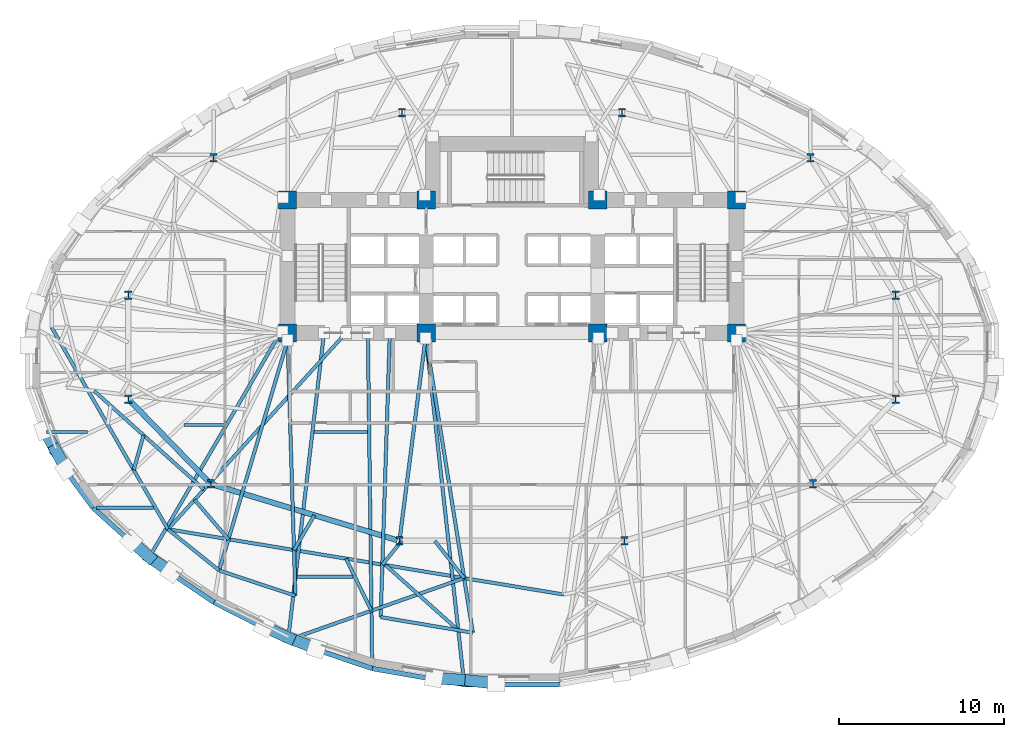
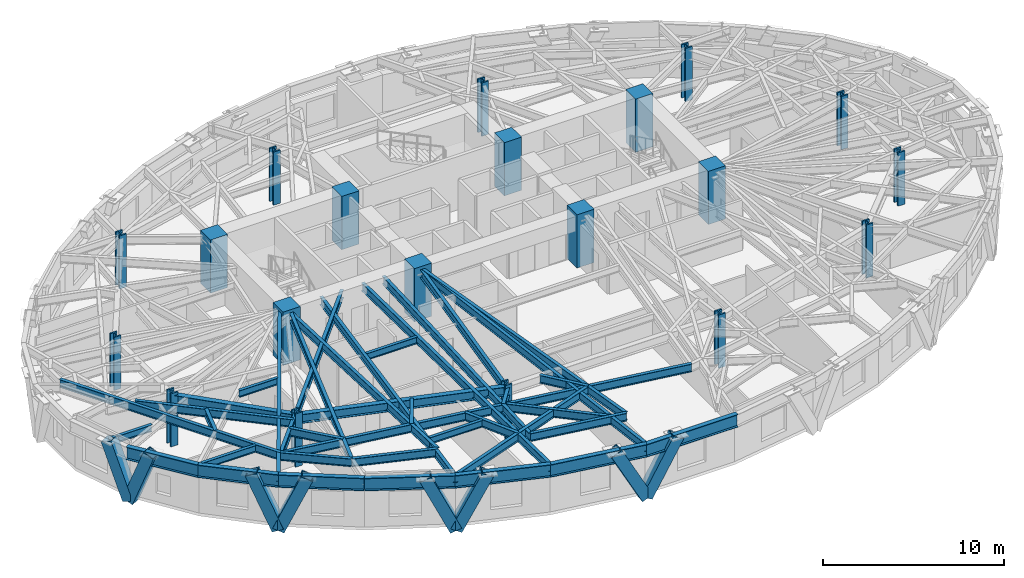
# One storey, part 1 of 14: 38 beams, 20 columns, 8 members.
"""IFC4 building model written with IfcOpenShell, lengths in metres."""

from ifc_helpers import new_model, si_unit, direction, frame, origin, origin_2d, place, context, subcontext, project, spatial, rectangle, hollow_rectangle, i_section, extrude, material, material_profile, profile_set, type_object, element, save


model = new_model("IFC4")

# Units and contexts
model_context = context("Model", 3, precision=1e-05, world=origin(), true_north=direction((0.0, 1.0)))
body_context = subcontext(model_context, "Body", "Model", "MODEL_VIEW")
ifc_project = project(units=[si_unit("LENGTHUNIT", "METRE"), si_unit("AREAUNIT", "SQUARE_METRE"), si_unit("VOLUMEUNIT", "CUBIC_METRE"), si_unit("PLANEANGLEUNIT", "RADIAN"), si_unit("MASSUNIT", "GRAM", prefix="KILO")], contexts=[model_context])

# Site, building, storey
site_placement = place(None, origin())
site = spatial("IfcSite", under=ifc_project, at=site_placement, CompositionType="ELEMENT")
building_placement = place(site_placement, origin())
building = spatial("IfcBuilding", under=site, at=building_placement, Name="Keldmark Tower", CompositionType="ELEMENT")
storey_placement = place(building_placement, frame((0.0, 0.0, 59.39990234375)))
storey = spatial("IfcBuildingStorey", under=building, at=storey_placement, Name="L15", CompositionType="ELEMENT", Elevation=59.39990234375)

# Columns
ifc_material_1 = material(Name="Concrete C70/85", Category="concrete")
ifc_material_profile_1 = material_profile(ifc_material_1, rectangle(XDim=1.10009765625, YDim=1.10009765625, at=origin_2d()), Name="RC1100X1100")
ifc_profile_set_1 = profile_set([ifc_material_profile_1], Name="Concrete C70/85")
column_type_1 = type_object("IfcColumnType", Name="Core Boundary Column RC1100", PredefinedType="COLUMN", material=ifc_profile_set_1)
for number, where, z_axis, x_axis, name in (
    (1, (-13.60009765625, 1.39990234375, 0.0), (0.0, 0.0, 1.0), (1.0, 0.0, 0.0), "L15 Core Boundary Column CC-W1"),
    (2, (-13.60009765625, 9.449951171875, 0.0), (0.0, 0.0, 1.0), (1.0, 0.0, 0.0), "L15 Core Boundary Column CC-W2"),
    (3, (-5.199951171875, 1.39990234375, 0.0), (0.0, 0.0, 1.0), (1.0, 0.0, 0.0), "L15 Core Boundary Column CC-W3"),
    (4, (-5.199951171875, 9.449951171875, 0.0), (0.0, 0.0, 1.0), (1.0, 0.0, 0.0), "L15 Core Boundary Column CC-W4"),
    (5, (5.199951171875, 1.39990234375, 0.0), (0.0, 0.0, 1.0), (1.0, 0.0, 0.0), "L15 Core Boundary Column CC-E1"),
    (6, (5.199951171875, 9.449951171875, 0.0), (0.0, 0.0, 1.0), (1.0, 0.0, 0.0), "L15 Core Boundary Column CC-E2"),
    (7, (13.60009765625, 1.39990234375, 0.0), (0.0, 0.0, 1.0), (1.0, 0.0, 0.0), "L15 Core Boundary Column CC-E3"),
    (8, (13.60009765625, 9.449951171875, 0.0), (0.0, 0.0, 1.0), (1.0, 0.0, 0.0), "L15 Core Boundary Column CC-E4"),
):
    element("IfcColumn", number, at=place(storey_placement, frame(where, z_axis=z_axis, x_axis=x_axis)), inside=storey, type_object=column_type_1, Name=name, PredefinedType="COLUMN", context=body_context, shape_type="SweptSolid", body=[
        extrude(rectangle(XDim=1.10009765625, YDim=1.10009765625, at=origin_2d()), origin(), (0.0, 0.0, 1.0), 3.60009765625),
    ])
ifc_material_2 = material(Name="Steel ASTM A992 Grade 50", Category="steel")
ifc_material_profile_2 = material_profile(ifc_material_2, i_section(OverallWidth=0.43701171875, OverallDepth=0.513916015625, WebThickness=0.060546875, FlangeThickness=0.096923828125, at=origin_2d()), Name="W14X550")
ifc_profile_set_2 = profile_set([ifc_material_profile_2], Name="Steel ASTM A992 Grade 50")
column_type_2 = type_object("IfcColumnType", Name="Tower Gravity Column W14X550", PredefinedType="COLUMN", material=ifc_profile_set_2)
for number, where, z_axis, x_axis, name in (
    (9, (23.25390625, 3.67724609375, 0.0), (0.0, 0.0, 1.0), (1.0, 0.0, 0.0), "L15 Tower Gravity Column TC-E1"),
    (10, (18.09765625, 12.00732421875, 0.0), (0.0, 0.0, 1.0), (1.0, 0.0, 0.0), "L15 Tower Gravity Column TC-E4"),
    (11, (6.6650390625, 14.760009765625, 0.0), (0.0, 0.0, 1.0), (1.0, 0.0, 0.0), "L15 Tower Gravity Column TC-N2"),
    (12, (-6.6650390625, 14.760009765625, 0.0), (0.0, 0.0, 1.0), (1.0, 0.0, 0.0), "L15 Tower Gravity Column TC-N1"),
    (13, (-18.09765625, 12.00732421875, 0.0), (0.0, 0.0, 1.0), (1.0, 0.0, 0.0), "L15 Tower Gravity Column TC-W4"),
    (14, (-23.25390625, 3.67724609375, 0.0), (0.0, 0.0, 1.0), (1.0, 0.0, 0.0), "L15 Tower Gravity Column TC-W1"),
    (15, (-23.25390625, -2.61328125, 0.0), (0.0, 0.0, 1.0), (1.0, 0.0, 0.0), "L15 Tower Gravity Column TC-W5"),
    (16, (-18.252685546875, -7.755615234375, 0.0), (0.0, 0.0, 1.0), (1.0, 0.0, 0.0), "L15 Tower Gravity Column TC-W2"),
    (17, (-6.822021484375, -11.205810546875, 0.0), (0.0, 0.0, 1.0), (1.0, 0.0, 0.0), "L15 Tower Gravity Column TC-W3"),
    (18, (6.822021484375, -11.205810546875, 0.0), (0.0, 0.0, 1.0), (1.0, 0.0, 0.0), "L15 Tower Gravity Column TC-E3"),
    (19, (18.252685546875, -7.755615234375, 0.0), (0.0, 0.0, 1.0), (1.0, 0.0, 0.0), "L15 Tower Gravity Column TC-E2"),
    (20, (23.25390625, -2.61328125, 0.0), (0.0, 0.0, 1.0), (1.0, 0.0, 0.0), "L15 Tower Gravity Column TC-E5"),
):
    element("IfcColumn", number, at=place(storey_placement, frame(where, z_axis=z_axis, x_axis=x_axis)), inside=storey, type_object=column_type_2, Name=name, PredefinedType="COLUMN", context=body_context, shape_type="SweptSolid", body=[
        extrude(i_section(OverallWidth=0.43701171875, OverallDepth=0.513916015625, WebThickness=0.060546875, FlangeThickness=0.096923828125, at=origin_2d()), origin(), (0.0, 0.0, 1.0), 3.60009765625),
    ])

# Beams
ifc_material_3 = material(Name="Steel ASTM A992 Grade 50", Category="steel")
ifc_material_profile_3 = material_profile(ifc_material_3, i_section(OverallWidth=0.19091796875, OverallDepth=0.45703125, WebThickness=0.009033203125, FlangeThickness=0.014404296875, at=origin_2d()), Name="W18X50")
ifc_profile_set_3 = profile_set([ifc_material_profile_3], Name="Steel ASTM A992 Grade 50")
beam_type_1 = type_object("IfcBeamType", Name="Composite Floor Joist W18X50", PredefinedType="JOIST", material=ifc_profile_set_3)
beam_1_placement = place(storey_placement, frame((-13.02685546875, -13.3798828125, 3.171630859375), z_axis=(1.0, 0.0, 0.0), x_axis=(0.0, 1.0, 0.0)))
element("IfcBeam", 21, at=beam_1_placement, inside=storey, type_object=beam_type_1, Name="L15 Composite Floor Joist J01", PredefinedType="JOIST", context=body_context, shape_type="SweptSolid", body=[
    extrude(i_section(OverallWidth=0.19091796875, OverallDepth=0.45703125, WebThickness=0.009033203125, FlangeThickness=0.014404296875, at=origin_2d()), origin(), (0.0, 0.0, 1.0), 3.3955078125),
])
beam_2_placement = place(storey_placement, frame((-25.18896484375, -9.199951171875, 3.171630859375), z_axis=(1.0, 0.0, 0.0), x_axis=(0.0, 1.0, 0.0)))
element("IfcBeam", 22, at=beam_2_placement, inside=storey, type_object=beam_type_1, Name="L15 Composite Floor Joist J02", PredefinedType="JOIST", context=body_context, shape_type="SweptSolid", body=[
    extrude(i_section(OverallWidth=0.19091796875, OverallDepth=0.45703125, WebThickness=0.009033203125, FlangeThickness=0.014404296875, at=origin_2d()), origin(), (0.0, 0.0, 1.0), 3.47265625),
])
beam_3_placement = place(storey_placement, frame((-28.219482421875, -4.60009765625, 3.171630859375), z_axis=(1.0, 0.0, 0.0), x_axis=(0.0, 1.0, 0.0)))
element("IfcBeam", 23, at=beam_3_placement, inside=storey, type_object=beam_type_1, Name="L15 Composite Floor Joist J05", PredefinedType="JOIST", context=body_context, shape_type="SweptSolid", body=[
    extrude(i_section(OverallWidth=0.19091796875, OverallDepth=0.45703125, WebThickness=0.009033203125, FlangeThickness=0.014404296875, at=origin_2d()), origin(), (0.0, 0.0, 1.0), 2.503662109375),
])
beam_4_placement = place(storey_placement, frame((-19.876708984375, -4.179931640625, 3.171630859375), z_axis=(1.0, 0.0, 0.0), x_axis=(0.0, 1.0, 0.0)))
element("IfcBeam", 24, at=beam_4_placement, inside=storey, type_object=beam_type_1, Name="L15 Composite Floor Joist J06", PredefinedType="JOIST", context=body_context, shape_type="SweptSolid", body=[
    extrude(i_section(OverallWidth=0.19091796875, OverallDepth=0.45703125, WebThickness=0.009033203125, FlangeThickness=0.014404296875, at=origin_2d()), origin(), (0.0, 0.0, 1.0), 2.45849609375),
])
beam_5_placement = place(storey_placement, frame((-11.998779296875, -4.60009765625, 3.171630859375), z_axis=(1.0, 0.0, 0.0), x_axis=(0.0, 1.0, 0.0)))
element("IfcBeam", 25, at=beam_5_placement, inside=storey, type_object=beam_type_1, Name="L15 Composite Floor Joist J07", PredefinedType="JOIST", context=body_context, shape_type="SweptSolid", body=[
    extrude(i_section(OverallWidth=0.19091796875, OverallDepth=0.45703125, WebThickness=0.009033203125, FlangeThickness=0.014404296875, at=origin_2d()), origin(), (0.0, 0.0, 1.0), 3.244384765625),
])

# Members
ifc_material_4 = material(Name="Steel ASTM A572 Grade 50", Category="steel")
ifc_material_profile_4 = material_profile(ifc_material_4, hollow_rectangle(XDim=0.699951171875, YDim=0.699951171875, WallThickness=0.054931640625, at=origin_2d()), Name="BOX700X700X55")
ifc_profile_set_4 = profile_set([ifc_material_profile_4], Name="Steel ASTM A572 Grade 50")
member_type = type_object("IfcMemberType", Name="Diagrid Zone 1 Brace BOX700X700X55", PredefinedType="BRACE", material=ifc_profile_set_4)
member_1_placement = place(storey_placement, frame((-27.66845703125, -5.696533203125, -0.27978515625), z_axis=(-0.178257638585, 0.318718528587, 0.930936471421), x_axis=(-0.87276824672, -0.488134804656, 0.0)))
element("IfcMember", 26, at=member_1_placement, inside=storey, type_object=member_type, Name="L15 Perimeter Diagrid Brace 09A", PredefinedType="BRACE", context=body_context, shape_type="SweptSolid", body=[
    extrude(hollow_rectangle(XDim=0.699951171875, YDim=0.699951171875, WallThickness=0.054931640625, at=origin_2d()), origin(), (0.0, 0.0, 1.0), 3.823974609375),
])
member_2_placement = place(storey_placement, frame((-27.670654296875, -5.68505859375, -0.27978515625), z_axis=(0.168232250146, -0.313777179701, 0.934474072144), x_axis=(0.8813193569, 0.472521101279, 0.0)))
element("IfcMember", 27, at=member_2_placement, inside=storey, type_object=member_type, Name="L15 Perimeter Diagrid Brace 09B", PredefinedType="BRACE", context=body_context, shape_type="SweptSolid", body=[
    extrude(hollow_rectangle(XDim=0.699951171875, YDim=0.699951171875, WallThickness=0.054931640625, at=origin_2d()), origin(), (0.0, 0.0, 1.0), 3.809326171875),
])
member_3_placement = place(storey_placement, frame((-21.953369140625, -12.2158203125, -0.27978515625), z_axis=(-0.293372462898, 0.260824582689, 0.919729925075), x_axis=(-0.664433650917, -0.747347257658, 0.0)))
element("IfcMember", 28, at=member_3_placement, inside=storey, type_object=member_type, Name="L15 Perimeter Diagrid Brace 10A", PredefinedType="BRACE", context=body_context, shape_type="SweptSolid", body=[
    extrude(hollow_rectangle(XDim=0.699951171875, YDim=0.699951171875, WallThickness=0.054931640625, at=origin_2d()), origin(), (0.0, 0.0, 1.0), 3.87060546875),
])
member_4_placement = place(storey_placement, frame((-21.9599609375, -12.2060546875, -0.27978515625), z_axis=(0.335180886725, -0.23055432956, 0.91350888025), x_axis=(0.566724882809, 0.823907098649, 0.0)))
element("IfcMember", 29, at=member_4_placement, inside=storey, type_object=member_type, Name="L15 Perimeter Diagrid Brace 10B", PredefinedType="BRACE", context=body_context, shape_type="SweptSolid", body=[
    extrude(hollow_rectangle(XDim=0.699951171875, YDim=0.699951171875, WallThickness=0.054931640625, at=origin_2d()), origin(), (0.0, 0.0, 1.0), 3.89697265625),
])
member_5_placement = place(storey_placement, frame((-13.48681640625, -17.1083984375, -0.27978515625), z_axis=(-0.392084661773, 0.177781362269, 0.902587062411), x_axis=(-0.412957768133, -0.910750175262, 0.0)))
element("IfcMember", 30, at=member_5_placement, inside=storey, type_object=member_type, Name="L15 Perimeter Diagrid Brace 11A", PredefinedType="BRACE", context=body_context, shape_type="SweptSolid", body=[
    extrude(hollow_rectangle(XDim=0.699951171875, YDim=0.699951171875, WallThickness=0.054931640625, at=origin_2d()), origin(), (0.0, 0.0, 1.0), 3.944091796875),
])
member_6_placement = place(storey_placement, frame((-13.49658203125, -17.101806640625, -0.27978515625), z_axis=(0.415439580349, -0.160096228525, 0.895421215235), x_axis=(0.359589032311, 0.933110780048, 0.0)))
element("IfcMember", 31, at=member_6_placement, inside=storey, type_object=member_type, Name="L15 Perimeter Diagrid Brace 11B", PredefinedType="BRACE", context=body_context, shape_type="SweptSolid", body=[
    extrude(hollow_rectangle(XDim=0.699951171875, YDim=0.699951171875, WallThickness=0.054931640625, at=origin_2d()), origin(), (0.0, 0.0, 1.0), 3.9755859375),
])
member_7_placement = place(storey_placement, frame((-2.844482421875, -19.642822265625, -0.27978515625), z_axis=(-0.468860985223, 0.028637815859, 0.882807596274), x_axis=(-0.060965928199, -0.998139847716, 0.0)))
element("IfcMember", 32, at=member_7_placement, inside=storey, type_object=member_type, Name="L15 Perimeter Diagrid Brace 12A", PredefinedType="BRACE", context=body_context, shape_type="SweptSolid", body=[
    extrude(hollow_rectangle(XDim=0.699951171875, YDim=0.699951171875, WallThickness=0.054931640625, at=origin_2d()), origin(), (0.0, 0.0, 1.0), 4.032470703125),
])
member_8_placement = place(storey_placement, frame((-2.856201171875, -19.640380859375, -0.27978515625), z_axis=(0.46989619452, -0.051310851337, 0.881229120553), x_axis=(0.108550889837, 0.994090893387, 0.0)))
element("IfcMember", 33, at=member_8_placement, inside=storey, type_object=member_type, Name="L15 Perimeter Diagrid Brace 12B", PredefinedType="BRACE", context=body_context, shape_type="SweptSolid", body=[
    extrude(hollow_rectangle(XDim=0.699951171875, YDim=0.699951171875, WallThickness=0.054931640625, at=origin_2d()), origin(), (0.0, 0.0, 1.0), 4.03955078125),
])

# Beams
ifc_material_5 = material(Name="Steel ASTM A992 Grade 50", Category="steel")
ifc_material_profile_5 = material_profile(ifc_material_5, i_section(OverallWidth=0.323974609375, OverallDepth=0.611083984375, WebThickness=0.0126953125, FlangeThickness=0.01904296875, at=origin_2d()), Name="W24X104")
ifc_profile_set_5 = profile_set([ifc_material_profile_5], Name="Steel ASTM A992 Grade 50")
beam_type_2 = type_object("IfcBeamType", Name="Primary Floor Girder W24X104", PredefinedType="BEAM", material=ifc_profile_set_5)
beam_6_placement = place(storey_placement, frame((-23.156494140625, -2.713623046875, 3.094482421875), z_axis=(0.697210382268, -0.716866572563, 0.0), x_axis=(0.716866572563, 0.697210382268, 0.0)))
element("IfcBeam", 34, at=beam_6_placement, inside=storey, type_object=beam_type_2, Name="L15 Floor Ring Girder FG-R07", PredefinedType="BEAM", context=body_context, shape_type="SweptSolid", body=[
    extrude(i_section(OverallWidth=0.323974609375, OverallDepth=0.611083984375, WebThickness=0.0126953125, FlangeThickness=0.01904296875, at=origin_2d()), origin(), (0.0, 0.0, 1.0), 6.893310546875),
])
beam_7_placement = place(storey_placement, frame((-18.118896484375, -7.796142578125, 3.094482421875), z_axis=(0.957346071406, -0.2889437654, 0.0), x_axis=(0.2889437654, 0.957346071406, 0.0)))
element("IfcBeam", 35, at=beam_7_placement, inside=storey, type_object=beam_type_2, Name="L15 Floor Ring Girder FG-R08", PredefinedType="BEAM", context=body_context, shape_type="SweptSolid", body=[
    extrude(i_section(OverallWidth=0.323974609375, OverallDepth=0.611083984375, WebThickness=0.0126953125, FlangeThickness=0.01904296875, at=origin_2d()), origin(), (0.0, 0.0, 1.0), 11.66015625),
])
ifc_material_6 = material(Name="Steel ASTM A992 Grade 50", Category="steel")
ifc_material_profile_6 = material_profile(ifc_material_6, i_section(OverallWidth=0.2099609375, OverallDepth=0.537109375, WebThickness=0.010986328125, FlangeThickness=0.017333984375, at=origin_2d()), Name="W21X68")
ifc_profile_set_6 = profile_set([ifc_material_profile_6], Name="Steel ASTM A992 Grade 50")
beam_type_3 = type_object("IfcBeamType", Name="Radial Tie Girder W21X68", PredefinedType="BEAM", material=ifc_profile_set_6)
beam_8_placement = place(storey_placement, frame((-25.325927734375, -2.1142578125, 3.131591796875), z_axis=(0.744130948226, -0.668033780502, 0.0), x_axis=(0.668033780502, 0.744130948226, 0.0)))
element("IfcBeam", 36, at=beam_8_placement, inside=storey, type_object=beam_type_3, Name="L15 Framing Pin Header PH-011", PredefinedType="BEAM", context=body_context, shape_type="SweptSolid", body=[
    extrude(i_section(OverallWidth=0.2099609375, OverallDepth=0.537109375, WebThickness=0.010986328125, FlangeThickness=0.017333984375, at=origin_2d()), origin(), (0.0, 0.0, 1.0), 8.944580078125),
])
beam_9_placement = place(storey_placement, frame((-10.064208984375, 1.39990234375, 3.131591796875), z_axis=(-0.671774409352, -0.740755791702, 0.0), x_axis=(0.740755791702, -0.671774409352, 0.0)))
element("IfcBeam", 37, at=beam_9_placement, inside=storey, type_object=beam_type_3, Name="L15 Sub-Ring Step Girder STP2-M08", PredefinedType="BEAM", context=body_context, shape_type="SweptSolid", body=[
    extrude(i_section(OverallWidth=0.2099609375, OverallDepth=0.537109375, WebThickness=0.010986328125, FlangeThickness=0.017333984375, at=origin_2d()), origin(), (0.0, 0.0, 1.0), 16.064453125),
])
beam_10_placement = place(storey_placement, frame((-27.899658203125, 1.726806640625, 3.131591796875), z_axis=(0.499178639732, -0.866499097308, 0.0), x_axis=(0.866499097308, 0.499178639732, 0.0)))
element("IfcBeam", 38, at=beam_10_placement, inside=storey, type_object=beam_type_3, Name="L15 Perimeter Collector Ring Beam CRG2-M07", PredefinedType="BEAM", context=body_context, shape_type="SweptSolid", body=[
    extrude(i_section(OverallWidth=0.2099609375, OverallDepth=0.537109375, WebThickness=0.010986328125, FlangeThickness=0.017333984375, at=origin_2d()), origin(), (0.0, 0.0, 1.0), 14.110595703125),
])
beam_11_placement = place(storey_placement, frame((-20.85595703125, -10.5, 3.131591796875), z_axis=(0.986674456653, -0.162706842476, 0.0), x_axis=(0.162706842476, 0.986674456653, 0.0)))
element("IfcBeam", 39, at=beam_11_placement, inside=storey, type_object=beam_type_3, Name="L15 Perimeter Collector Ring Beam CRG2-M08", PredefinedType="BEAM", context=body_context, shape_type="SweptSolid", body=[
    extrude(i_section(OverallWidth=0.2099609375, OverallDepth=0.537109375, WebThickness=0.010986328125, FlangeThickness=0.017333984375, at=origin_2d()), origin(), (0.0, 0.0, 1.0), 24.3125),
])
beam_12_placement = place(storey_placement, frame((-22.330810546875, -4.80322265625, 3.131591796875), z_axis=(-0.274617623752, -0.961553514228, 0.0), x_axis=(0.961553514228, -0.274617623752, 0.0)))
element("IfcBeam", 40, at=beam_12_placement, inside=storey, type_object=beam_type_3, Name="L15 Framing Pin Header PH-030", PredefinedType="BEAM", context=body_context, shape_type="SweptSolid", body=[
    extrude(i_section(OverallWidth=0.2099609375, OverallDepth=0.537109375, WebThickness=0.010986328125, FlangeThickness=0.017333984375, at=origin_2d()), origin(), (0.0, 0.0, 1.0), 2.1806640625),
])
beam_13_placement = place(storey_placement, frame((-14.050048828125, 1.39990234375, 3.131591796875), z_axis=(-0.50402853114, -0.863687003374, 0.0), x_axis=(0.863687003374, -0.50402853114, 0.0)))
element("IfcBeam", 41, at=beam_13_placement, inside=storey, type_object=beam_type_3, Name="L15 Perimeter Radial Tie Girder RT-20", PredefinedType="BEAM", context=body_context, shape_type="SweptSolid", body=[
    extrude(i_section(OverallWidth=0.2099609375, OverallDepth=0.537109375, WebThickness=0.010986328125, FlangeThickness=0.017333984375, at=origin_2d()), origin(), (0.0, 0.0, 1.0), 15.8046875),
])
beam_14_placement = place(storey_placement, frame((-19.2373046875, -8.715087890625, 3.131591796875), z_axis=(0.651123335513, -0.758971937525, 0.0), x_axis=(0.758971937525, 0.651123335513, 0.0)))
element("IfcBeam", 42, at=beam_14_placement, inside=storey, type_object=beam_type_3, Name="L15 Framing Pin Header PH-031", PredefinedType="BEAM", context=body_context, shape_type="SweptSolid", body=[
    extrude(i_section(OverallWidth=0.2099609375, OverallDepth=0.537109375, WebThickness=0.010986328125, FlangeThickness=0.017333984375, at=origin_2d()), origin(), (0.0, 0.0, 1.0), 3.14892578125),
])
beam_15_placement = place(storey_placement, frame((-13.60009765625, 0.949951171875, 3.131591796875), z_axis=(-0.285178176256, -0.958474521199, 0.0), x_axis=(0.958474521199, -0.285178176256, 0.0)))
element("IfcBeam", 43, at=beam_15_placement, inside=storey, type_object=beam_type_3, Name="L15 Intermediate Radial Step Girder RT-21M", PredefinedType="BEAM", context=body_context, shape_type="SweptSolid", body=[
    extrude(i_section(OverallWidth=0.2099609375, OverallDepth=0.537109375, WebThickness=0.010986328125, FlangeThickness=0.017333984375, at=origin_2d()), origin(), (0.0, 0.0, 1.0), 14.55029296875),
])
beam_16_placement = place(storey_placement, frame((-20.85595703125, -10.5, 3.131591796875), z_axis=(0.77952816487, -0.626367176802, 0.0), x_axis=(0.626367176802, 0.77952816487, 0.0)))
element("IfcBeam", 44, at=beam_16_placement, inside=storey, type_object=beam_type_3, Name="L15 Local Collector Chord RT-21C", PredefinedType="BEAM", context=body_context, shape_type="SweptSolid", body=[
    extrude(i_section(OverallWidth=0.2099609375, OverallDepth=0.537109375, WebThickness=0.010986328125, FlangeThickness=0.017333984375, at=origin_2d()), origin(), (0.0, 0.0, 1.0), 3.985107421875),
])
beam_17_placement = place(storey_placement, frame((-11.979248046875, -9.649169921875, 3.131591796875), z_axis=(-0.504981541597, -0.863130142358, 0.0), x_axis=(0.863130142358, -0.504981541597, 0.0)))
element("IfcBeam", 45, at=beam_17_placement, inside=storey, type_object=beam_type_3, Name="L15 Framing Pin Header PH-032", PredefinedType="BEAM", context=body_context, shape_type="SweptSolid", body=[
    extrude(i_section(OverallWidth=0.2099609375, OverallDepth=0.537109375, WebThickness=0.010986328125, FlangeThickness=0.017333984375, at=origin_2d()), origin(), (0.0, 0.0, 1.0), 2.44580078125),
])
beam_18_placement = place(storey_placement, frame((-13.60009765625, 0.949951171875, 3.131591796875), z_axis=(0.030342096024, -0.999539572608, 0.0), x_axis=(0.999539572608, 0.030342096024, 0.0)))
element("IfcBeam", 46, at=beam_18_placement, inside=storey, type_object=beam_type_3, Name="L15 Intermediate Radial Step Girder RT-22M", PredefinedType="BEAM", context=body_context, shape_type="SweptSolid", body=[
    extrude(i_section(OverallWidth=0.2099609375, OverallDepth=0.537109375, WebThickness=0.010986328125, FlangeThickness=0.017333984375, at=origin_2d()), origin(), (0.0, 0.0, 1.0), 15.489013671875),
])
beam_19_placement = place(storey_placement, frame((-17.74951171875, -12.99609375, 3.131591796875), z_axis=(0.948923752199, -0.315505487294, 0.0), x_axis=(0.315505487294, 0.948923752199, 0.0)))
element("IfcBeam", 47, at=beam_19_placement, inside=storey, type_object=beam_type_3, Name="L15 Local Collector Chord RT-22C", PredefinedType="BEAM", context=body_context, shape_type="SweptSolid", body=[
    extrude(i_section(OverallWidth=0.2099609375, OverallDepth=0.537109375, WebThickness=0.010986328125, FlangeThickness=0.017333984375, at=origin_2d()), origin(), (0.0, 0.0, 1.0), 4.867919921875),
])
beam_20_placement = place(storey_placement, frame((-11.392822265625, 1.39990234375, 3.131591796875), z_axis=(-0.116313738598, -0.993212522179, 0.0), x_axis=(0.993212522179, -0.116313738598, 0.0)))
element("IfcBeam", 48, at=beam_20_placement, inside=storey, type_object=beam_type_3, Name="L15 Perimeter Radial Tie Girder RT-22", PredefinedType="BEAM", context=body_context, shape_type="SweptSolid", body=[
    extrude(i_section(OverallWidth=0.2099609375, OverallDepth=0.537109375, WebThickness=0.010986328125, FlangeThickness=0.017333984375, at=origin_2d()), origin(), (0.0, 0.0, 1.0), 18.743896484375),
])
beam_21_placement = place(storey_placement, frame((-6.68212890625, -11.205810546875, 3.131591796875), z_axis=(-0.63305882036, -0.774103694581, 0.0), x_axis=(0.774103694581, -0.63305882036, 0.0)))
element("IfcBeam", 49, at=beam_21_placement, inside=storey, type_object=beam_type_3, Name="L15 Framing Pin Header PH-033", PredefinedType="BEAM", context=body_context, shape_type="SweptSolid", body=[
    extrude(i_section(OverallWidth=0.2099609375, OverallDepth=0.537109375, WebThickness=0.010986328125, FlangeThickness=0.017333984375, at=origin_2d()), origin(), (0.0, 0.0, 1.0), 1.857421875),
])
beam_22_placement = place(storey_placement, frame((-7.406982421875, 1.39990234375, 3.131591796875), z_axis=(-0.03209978259, -0.999484669196, 0.0), x_axis=(0.999484669196, -0.03209978259, 0.0)))
element("IfcBeam", 50, at=beam_22_placement, inside=storey, type_object=beam_type_3, Name="L15 Intermediate Radial Step Girder RT-23M", PredefinedType="BEAM", context=body_context, shape_type="SweptSolid", body=[
    extrude(i_section(OverallWidth=0.2099609375, OverallDepth=0.537109375, WebThickness=0.010986328125, FlangeThickness=0.017333984375, at=origin_2d()), origin(), (0.0, 0.0, 1.0), 17.234375),
])
beam_23_placement = place(storey_placement, frame((-4.677490234375, -11.205810546875, 3.131591796875), z_axis=(0.618617711759, -0.785692132262, 0.0), x_axis=(0.785692132262, 0.618617711759, 0.0)))
element("IfcBeam", 51, at=beam_23_placement, inside=storey, type_object=beam_type_3, Name="L15 Framing Pin Header PH-034", PredefinedType="BEAM", context=body_context, shape_type="SweptSolid", body=[
    extrude(i_section(OverallWidth=0.2099609375, OverallDepth=0.537109375, WebThickness=0.010986328125, FlangeThickness=0.017333984375, at=origin_2d()), origin(), (0.0, 0.0, 1.0), 2.869873046875),
])
beam_24_placement = place(storey_placement, frame((-5.199951171875, 0.949951171875, 3.131591796875), z_axis=(0.157458244464, -0.98752564587, 0.0), x_axis=(0.98752564587, 0.157458244464, 0.0)))
element("IfcBeam", 52, at=beam_24_placement, inside=storey, type_object=beam_type_3, Name="L15 Intermediate Radial Step Girder RT-24M", PredefinedType="BEAM", context=body_context, shape_type="SweptSolid", body=[
    extrude(i_section(OverallWidth=0.2099609375, OverallDepth=0.537109375, WebThickness=0.010986328125, FlangeThickness=0.017333984375, at=origin_2d()), origin(), (0.0, 0.0, 1.0), 17.944091796875),
])
beam_25_placement = place(storey_placement, frame((-7.960205078125, -15.82568359375, 3.131591796875), z_axis=(0.986000948959, -0.166739703288, 0.0), x_axis=(0.166739703288, 0.986000948959, 0.0)))
element("IfcBeam", 53, at=beam_25_placement, inside=storey, type_object=beam_type_3, Name="L15 Local Collector Chord RT-24C", PredefinedType="BEAM", context=body_context, shape_type="SweptSolid", body=[
    extrude(i_section(OverallWidth=0.2099609375, OverallDepth=0.537109375, WebThickness=0.010986328125, FlangeThickness=0.017333984375, at=origin_2d()), origin(), (0.0, 0.0, 1.0), 5.6650390625),
])
beam_26_placement = place(storey_placement, frame((-7.662353515625, -12.67578125, 3.131591796875), z_axis=(0.745036167095, -0.667024069821, 0.0), x_axis=(0.667024069821, 0.745036167095, 0.0)))
element("IfcBeam", 54, at=beam_26_placement, inside=storey, type_object=beam_type_3, Name="L15 Framing Pin Header PH-035", PredefinedType="BEAM", context=body_context, shape_type="SweptSolid", body=[
    extrude(i_section(OverallWidth=0.2099609375, OverallDepth=0.537109375, WebThickness=0.010986328125, FlangeThickness=0.017333984375, at=origin_2d()), origin(), (0.0, 0.0, 1.0), 5.914794921875),
])
beam_27_placement = place(storey_placement, frame((-5.199951171875, 0.949951171875, 3.131591796875), z_axis=(0.109990971327, -0.993932586359, 0.0), x_axis=(0.993932586359, 0.109990971327, 0.0)))
element("IfcBeam", 55, at=beam_27_placement, inside=storey, type_object=beam_type_3, Name="L15 Perimeter Radial Tie Girder RT-24", PredefinedType="BEAM", context=body_context, shape_type="SweptSolid", body=[
    extrude(i_section(OverallWidth=0.2099609375, OverallDepth=0.537109375, WebThickness=0.010986328125, FlangeThickness=0.017333984375, at=origin_2d()), origin(), (0.0, 0.0, 1.0), 20.984619140625),
])
beam_28_placement = place(storey_placement, frame((-13.572998046875, -17.216796875, 3.131591796875), z_axis=(0.943270090131, 0.332026410192, 0.0), x_axis=(-0.332026410192, 0.943270090131, 0.0)))
element("IfcBeam", 56, at=beam_28_placement, inside=storey, type_object=beam_type_3, Name="L15 Straddling Support Chord RT-23RB", PredefinedType="BEAM", context=body_context, shape_type="SweptSolid", body=[
    extrude(i_section(OverallWidth=0.2099609375, OverallDepth=0.537109375, WebThickness=0.010986328125, FlangeThickness=0.017333984375, at=origin_2d()), origin(), (0.0, 0.0, 1.0), 11.312744140625),
])
beam_29_placement = place(storey_placement, frame((-10.06103515625, -12.2802734375, 3.131591796875), z_axis=(0.438884872104, -0.89854330393, 0.0), x_axis=(0.89854330393, 0.438884872104, 0.0)))
element("IfcBeam", 57, at=beam_29_placement, inside=storey, type_object=beam_type_3, Name="L15 Framing Pin Header PH-048", PredefinedType="BEAM", context=body_context, shape_type="SweptSolid", body=[
    extrude(i_section(OverallWidth=0.2099609375, OverallDepth=0.537109375, WebThickness=0.010986328125, FlangeThickness=0.017333984375, at=origin_2d()), origin(), (0.0, 0.0, 1.0), 3.513916015625),
])
beam_30_placement = place(storey_placement, frame((-8.735595703125, 1.39990234375, 3.131591796875), z_axis=(0.012866383369, -0.999917224664, 0.0), x_axis=(0.999917224664, 0.012866383369, 0.0)))
element("IfcBeam", 58, at=beam_30_placement, inside=storey, type_object=beam_type_3, Name="L15 Perimeter Radial Tie Girder RT-23R", PredefinedType="BEAM", context=body_context, shape_type="SweptSolid", body=[
    extrude(i_section(OverallWidth=0.2099609375, OverallDepth=0.537109375, WebThickness=0.010986328125, FlangeThickness=0.017333984375, at=origin_2d()), origin(), (0.0, 0.0, 1.0), 20.34130859375),
])
ifc_material_7 = material(Name="Steel ASTM A992 Grade 50", Category="steel")
ifc_material_profile_7 = material_profile(ifc_material_7, i_section(OverallWidth=0.214111328125, OverallDepth=0.549072265625, WebThickness=0.0146484375, FlangeThickness=0.023681640625, at=origin_2d()), Name="W21X93")
ifc_profile_set_7 = profile_set([ifc_material_profile_7], Name="Steel ASTM A992 Grade 50")
beam_type_4 = type_object("IfcBeamType", Name="Radial Tie Girder W21X93", PredefinedType="BEAM", material=ifc_profile_set_7)
beam_31_placement = place(storey_placement, frame((-6.80419921875, -11.06689453125, 3.12548828125), z_axis=(0.127634898593, 0.99182122011, 0.0), x_axis=(-0.99182122011, 0.127634898593, 0.0)))
element("IfcBeam", 59, at=beam_31_placement, inside=storey, type_object=beam_type_4, Name="L15 Floor Radial Girder FG-C09", PredefinedType="BEAM", context=body_context, shape_type="SweptSolid", body=[
    extrude(i_section(OverallWidth=0.214111328125, OverallDepth=0.549072265625, WebThickness=0.0146484375, FlangeThickness=0.023681640625, at=origin_2d()), origin(), (0.0, 0.0, 1.0), 12.24951171875),
])
ifc_material_8 = material(Name="Steel ASTM A992 Grade 50", Category="steel")
ifc_material_profile_8 = material_profile(ifc_material_8, i_section(OverallWidth=0.2919921875, OverallDepth=0.85888671875, WebThickness=0.01708984375, FlangeThickness=0.031005859375, at=origin_2d()), Name="W33X169")
ifc_profile_set_8 = profile_set([ifc_material_profile_8], Name="Steel ASTM A992 Grade 50")
beam_type_5 = type_object("IfcBeamType", Name="Spandrel Ring Beam W33X169", PredefinedType="SPANDREL", material=ifc_profile_set_8)
beam_32_placement = place(storey_placement, frame((-27.934326171875, -5.745361328125, 2.970703125), z_axis=(0.592261182237, -0.80574604685, 0.0), x_axis=(0.80574604685, 0.592261182237, 0.0)))
element("IfcBeam", 60, at=beam_32_placement, inside=storey, type_object=beam_type_5, Name="L15 Perimeter Spandrel Ring Beam SRB-18", PredefinedType="SPANDREL", context=body_context, shape_type="SweptSolid", body=[
    extrude(i_section(OverallWidth=0.2919921875, OverallDepth=0.85888671875, WebThickness=0.01708984375, FlangeThickness=0.031005859375, at=origin_2d()), origin(), (0.0, 0.0, 1.0), 4.290771484375),
])
beam_33_placement = place(storey_placement, frame((-25.39306640625, -9.20263671875, 2.970703125), z_axis=(0.742354052059, -0.670007806963, 0.0), x_axis=(0.670007806963, 0.742354052059, 0.0)))
element("IfcBeam", 61, at=beam_33_placement, inside=storey, type_object=beam_type_5, Name="L15 Perimeter Spandrel Ring Beam SRB-19", PredefinedType="SPANDREL", context=body_context, shape_type="SweptSolid", body=[
    extrude(i_section(OverallWidth=0.2919921875, OverallDepth=0.85888671875, WebThickness=0.01708984375, FlangeThickness=0.031005859375, at=origin_2d()), origin(), (0.0, 0.0, 1.0), 4.549072265625),
])
beam_34_placement = place(storey_placement, frame((-22.01611328125, -12.25048828125, 2.970703125), z_axis=(0.827693991977, -0.561179699959, 0.0), x_axis=(0.561179699959, 0.827693991977, 0.0)))
element("IfcBeam", 62, at=beam_34_placement, inside=storey, type_object=beam_type_5, Name="L15 Perimeter Spandrel Ring Beam SRB-20", PredefinedType="SPANDREL", context=body_context, shape_type="SweptSolid", body=[
    extrude(i_section(OverallWidth=0.2919921875, OverallDepth=0.85888671875, WebThickness=0.01708984375, FlangeThickness=0.031005859375, at=origin_2d()), origin(), (0.0, 0.0, 1.0), 4.769775390625),
])
beam_35_placement = place(storey_placement, frame((-18.068115234375, -14.92724609375, 2.970703125), z_axis=(0.891072734441, -0.45386053137, 0.0), x_axis=(0.45386053137, 0.891072734441, 0.0)))
element("IfcBeam", 63, at=beam_35_placement, inside=storey, type_object=beam_type_5, Name="L15 Perimeter Spandrel Ring Beam SRB-21", PredefinedType="SPANDREL", context=body_context, shape_type="SweptSolid", body=[
    extrude(i_section(OverallWidth=0.2919921875, OverallDepth=0.85888671875, WebThickness=0.01708984375, FlangeThickness=0.031005859375, at=origin_2d()), origin(), (0.0, 0.0, 1.0), 5.044677734375),
])
beam_36_placement = place(storey_placement, frame((-13.572998046875, -17.216796875, 2.970703125), z_axis=(0.947382619443, -0.320103377641, 0.0), x_axis=(0.320103377641, 0.947382619443, 0.0)))
element("IfcBeam", 64, at=beam_36_placement, inside=storey, type_object=beam_type_5, Name="L15 Perimeter Spandrel Ring Beam SRB-22", PredefinedType="SPANDREL", context=body_context, shape_type="SweptSolid", body=[
    extrude(i_section(OverallWidth=0.2919921875, OverallDepth=0.85888671875, WebThickness=0.01708984375, FlangeThickness=0.031005859375, at=origin_2d()), origin(), (0.0, 0.0, 1.0), 5.38232421875),
])
beam_37_placement = place(storey_placement, frame((-8.473876953125, -18.939697265625, 2.970703125), z_axis=(0.985308697227, -0.170782818716, 0.0), x_axis=(0.170782818716, 0.985308697227, 0.0)))
element("IfcBeam", 65, at=beam_37_placement, inside=storey, type_object=beam_type_5, Name="L15 Perimeter Spandrel Ring Beam SRB-23", PredefinedType="SPANDREL", context=body_context, shape_type="SweptSolid", body=[
    extrude(i_section(OverallWidth=0.2919921875, OverallDepth=0.85888671875, WebThickness=0.01708984375, FlangeThickness=0.031005859375, at=origin_2d()), origin(), (0.0, 0.0, 1.0), 5.665283203125),
])
beam_38_placement = place(storey_placement, frame((-2.891845703125, -19.9072265625, 2.970703125), z_axis=(1.0, 0.0, 0.0), x_axis=(0.0, 1.0, 0.0)))
element("IfcBeam", 66, at=beam_38_placement, inside=storey, type_object=beam_type_5, Name="L15 Perimeter Spandrel Ring Beam SRB-24", PredefinedType="SPANDREL", context=body_context, shape_type="SweptSolid", body=[
    extrude(i_section(OverallWidth=0.2919921875, OverallDepth=0.85888671875, WebThickness=0.01708984375, FlangeThickness=0.031005859375, at=origin_2d()), origin(), (0.0, 0.0, 1.0), 5.78369140625),
])

save(model, "model.ifc")
